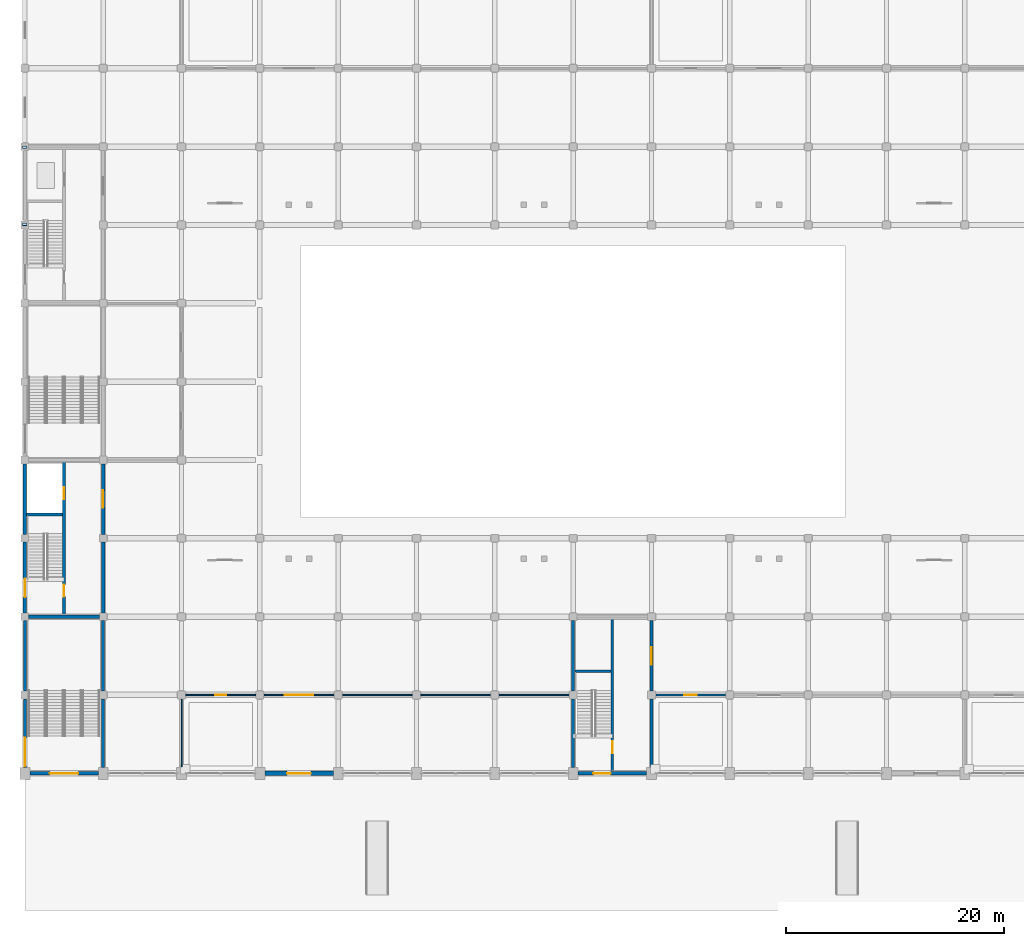
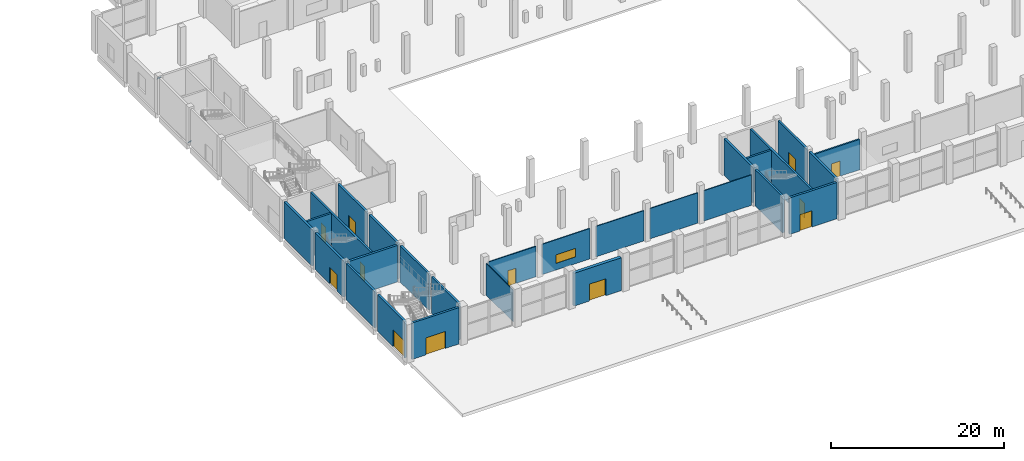
# One storey, part 44 of 70: 27 walls, 12 doors, 2 plates, 1 window, 13 openings.
"""IFC4 building model written with IfcOpenShell, lengths in metres."""

from ifc_helpers import new_model, si_unit, direction, frame, frame_2d, origin, origin_2d, place, context, subcontext, project, spatial, rectangle, extrude, material, layer, layer_set, type_object, element, fill, save


model = new_model("IFC4")

# Units and contexts
model_context = context("Model", 3, precision=1e-05, world=origin(), true_north=direction((0.0, 1.0)))
body_context = subcontext(model_context, "Body", "Model", "MODEL_VIEW")
ifc_project = project(units=[si_unit("LENGTHUNIT", "METRE"), si_unit("AREAUNIT", "SQUARE_METRE"), si_unit("VOLUMEUNIT", "CUBIC_METRE"), si_unit("PLANEANGLEUNIT", "RADIAN"), si_unit("MASSUNIT", "GRAM", prefix="KILO")], contexts=[model_context])

# Site, building, storey
site_placement = place(None, origin())
site = spatial("IfcSite", under=ifc_project, at=site_placement, CompositionType="ELEMENT")
building_placement = place(site_placement, origin())
building = spatial("IfcBuilding", under=site, at=building_placement, Name="Vesperath Aquatics Centre", CompositionType="ELEMENT")
storey_placement = place(building_placement, origin())
storey = spatial("IfcBuildingStorey", under=building, at=storey_placement, Name="L00", CompositionType="ELEMENT", Elevation=0.0)

# Plates
ifc_material_1 = material(Name="Steel Q355D", Category="steel")
ifc_layer_1 = layer(ifc_material_1, 0.02392578125)
ifc_layer_set_1 = layer_set([ifc_layer_1], Name="Steel Q355D")
plate_type = type_object("IfcPlateType", Name="PT-TN04", PredefinedType="SHEET", material=ifc_layer_set_1)
for number, where, z_axis, x_axis, name in (
    (1, (0.0, 64.8466796875, 0.18115234375), (0.0, 0.832050294338, 0.554700196225), (-1.0, 0.0, 0.0), "Truss Node Cap Plate TN04"),
    (2, (0.0, 71.933349609375, 4.90576171875), (0.0, 0.832050294338, 0.554700196225), (-1.0, 0.0, 0.0), "Truss Node Cap Plate TN04"),
):
    element("IfcPlate", number, at=place(storey_placement, frame(where, z_axis=z_axis, x_axis=x_axis)), inside=storey, type_object=plate_type, Name=name, PredefinedType="SHEET", context=body_context, shape_type="SweptSolid", body=[
        extrude(rectangle(XDim=0.419921875, YDim=0.419921875, at=origin_2d()), origin(), (0.0, 0.0, 1.0), 0.02392578125),
    ])

# Wall, opening, door
ifc_material_2 = material(Name="Liaoning grey granite ashlar insulated cavity wall", Category="masonry")
ifc_layer_2 = layer(ifc_material_2, 0.419921875)
ifc_layer_set_2 = layer_set([ifc_layer_2], Name="Liaoning grey granite ashlar insulated cavity wall")
wall_type_1 = type_object("IfcWallType", Name="WL-EW01", PredefinedType="SOLIDWALL", material=ifc_layer_set_2)
wall_1_placement = place(storey_placement, frame((22.050048828125, 14.39990234375, 0.0), z_axis=(0.0, 0.0, 1.0), x_axis=(1.0, 0.0, 0.0)))
wall_1 = element("IfcWall", 3, at=wall_1_placement, inside=storey, type_object=wall_type_1, Name="Exterior Wall EW01 L00_S_03_02", PredefinedType="SOLIDWALL", context=body_context, shape_type="SweptSolid", body=[
    extrude(rectangle(XDim=6.300048828125, YDim=0.419921875, at=frame_2d((3.14990234375, 0.0))), origin(), (0.0, 0.0, 1.0), 4.639892578125),
])
opening_1_placement = place(wall_1_placement, frame((2.050048828125, 0.0, 0.0)))
opening_1 = element("IfcOpeningElement", 4, at=opening_1_placement, cuts=wall_1, Name="Opening EX01", PredefinedType="OPENING", context=body_context, shape_type="SweptSolid", body=[
    extrude(rectangle(XDim=2.199951171875, YDim=2.39990234375, at=frame_2d((1.10009765625, 1.199951171875))), frame((0.0, 0.224853515625, 0.0), z_axis=(0.0, -1.0, 0.0), x_axis=(1.0, 0.0, 0.0)), (0.0, 0.0, 1.0), 0.44970703125),
])
ifc_material_3 = material(Name="Thermally broken bronze-anodised glazed aluminium door", Category="aluminium")
door_type_1 = type_object("IfcDoorType", Name="DR-EX01", OperationType="DOUBLE_SWING_LEFT", PredefinedType="DOOR", material=ifc_material_3)
door_1_placement = place(opening_1_placement, frame((2.199951171875, 0.0, 0.0), z_axis=(0.0, 0.0, 1.0), x_axis=(-1.0, 0.0, 0.0)))
door_1 = element("IfcDoor", 5, at=door_1_placement, inside=storey, type_object=door_type_1, Name="Final Exit Door EX01 L00_S_03_02", OperationType="DOUBLE_SWING_LEFT", OverallHeight=2.39990234375, OverallWidth=2.199951171875, PredefinedType="DOOR", context=body_context, shape_type="SweptSolid", body=[
    extrude(rectangle(XDim=2.199951171875, YDim=2.39990234375, at=frame_2d((1.10009765625, 1.199951171875))), frame((0.0, 0.02490234375, 0.0), z_axis=(0.0, -1.0, 0.0), x_axis=(1.0, 0.0, 0.0)), (0.0, 0.0, 1.0), 0.050048828125),
])
fill(opening_1, door_1)

ifc_material_4 = material(Name="Sanitary plumbing wall", Category="gypsum")
ifc_layer_3 = layer(ifc_material_4, 0.1298828125)
ifc_layer_set_3 = layer_set([ifc_layer_3], Name="Sanitary plumbing wall")
wall_type_2 = type_object("IfcWallType", Name="WL-IW08", PredefinedType="PARTITIONING", material=ifc_layer_set_3)
wall_2_placement = place(storey_placement, frame((14.800048828125, 21.60009765625, 0.0), z_axis=(0.0, 0.0, 1.0), x_axis=(1.0, 0.0, 0.0)))
wall_2 = element("IfcWall", 6, at=wall_2_placement, inside=storey, type_object=wall_type_2, Name="Interior Partition IW08 L00_CALL_RM-N1", PredefinedType="PARTITIONING", context=body_context, shape_type="SweptSolid", body=[
    extrude(rectangle(XDim=6.39990234375, YDim=0.1298828125, at=frame_2d((3.199951171875, 0.0))), origin(), (0.0, 0.0, 1.0), 4.2900390625),
])
opening_2_placement = place(wall_2_placement, frame((2.68994140625, 0.0, 0.0)))
opening_2 = element("IfcOpeningElement", 7, at=opening_2_placement, cuts=wall_2, Name="Opening D19", PredefinedType="OPENING", context=body_context, shape_type="SweptSolid", body=[
    extrude(rectangle(XDim=1.02001953125, YDim=2.14990234375, at=frame_2d((0.510009765625, 1.074951171875))), frame((0.0, 0.079833984375, 0.0), z_axis=(0.0, -1.0, 0.0), x_axis=(1.0, 0.0, 0.0)), (0.0, 0.0, 1.0), 0.15966796875),
])
ifc_material_5 = material(Name="Fire command centre rated steel door", Category="steel")
door_type_2 = type_object("IfcDoorType", Name="DR-RM11", OperationType="NOTDEFINED", PredefinedType="DOOR", material=ifc_material_5)
door_2_placement = place(opening_2_placement, frame((1.02001953125, 0.0, 0.0), z_axis=(0.0, 0.0, 1.0), x_axis=(-1.0, 0.0, 0.0)))
door_2 = element("IfcDoor", 8, at=door_2_placement, inside=storey, type_object=door_type_2, Name="Swimmers Call Room and Marshalling Suite Door D19", OperationType="SINGLE_SWING_LEFT", OverallHeight=2.14990234375, OverallWidth=1.02001953125, PredefinedType="DOOR", context=body_context, shape_type="SweptSolid", body=[
    extrude(rectangle(XDim=1.02001953125, YDim=2.14990234375, at=frame_2d((0.510009765625, 1.074951171875))), frame((0.0, 0.02490234375, 0.0), z_axis=(0.0, -1.0, 0.0), x_axis=(1.0, 0.0, 0.0)), (0.0, 0.0, 1.0), 0.050048828125),
])
fill(opening_2, door_2)

# Wall, opening, window
ifc_material_6 = material(Name="Office dry-lined partition", Category="gypsum")
ifc_layer_4 = layer(ifc_material_6, 0.1220703125)
ifc_layer_set_4 = layer_set([ifc_layer_4], Name="Office dry-lined partition")
wall_type_3 = type_object("IfcWallType", Name="WL-IW09", PredefinedType="PARTITIONING", material=ifc_layer_set_4)
wall_3_placement = place(storey_placement, frame((22.0, 21.60009765625, 0.0), z_axis=(0.0, 0.0, 1.0), x_axis=(1.0, 0.0, 0.0)))
wall_3 = element("IfcWall", 9, at=wall_3_placement, inside=storey, type_object=wall_type_3, Name="Interior Partition IW09 L00_CALL_RM-N2", PredefinedType="PARTITIONING", context=body_context, shape_type="SweptSolid", body=[
    extrude(rectangle(XDim=6.39990234375, YDim=0.1220703125, at=frame_2d((3.199951171875, 0.0))), origin(), (0.0, 0.0, 1.0), 4.2900390625),
])
opening_3_placement = place(wall_3_placement, frame((1.89990234375, 0.0, 0.949951171875)))
opening_3 = element("IfcOpeningElement", 10, at=opening_3_placement, cuts=wall_3, Name="Opening VW10", PredefinedType="OPENING", context=body_context, shape_type="SweptSolid", body=[
    extrude(rectangle(XDim=2.60009765625, YDim=1.199951171875, at=frame_2d((1.300048828125, 0.60009765625))), frame((0.0, 0.075927734375, 0.0), z_axis=(0.0, -1.0, 0.0), x_axis=(1.0, 0.0, 0.0)), (0.0, 0.0, 1.0), 0.15185546875),
])
ifc_material_7 = material(Name="Acoustic laminated interior viewing glazing", Category="glass")
window_type = type_object("IfcWindowType", Name="WN-IW10", PartitioningType="SINGLE_PANEL", PredefinedType="WINDOW", material=ifc_material_7)
window_placement = place(opening_3_placement, origin())
window = element("IfcWindow", 11, at=window_placement, inside=storey, type_object=window_type, Name="Interior Viewing Window VW10 L00_CALL_RM", OverallHeight=1.199951171875, OverallWidth=2.60009765625, PartitioningType="SINGLE_PANEL", PredefinedType="WINDOW", context=body_context, shape_type="SweptSolid", body=[
    extrude(rectangle(XDim=2.60009765625, YDim=1.199951171875, at=frame_2d((1.300048828125, 0.60009765625))), frame((0.0, 0.030029296875, 0.0), z_axis=(0.0, -1.0, 0.0), x_axis=(1.0, 0.0, 0.0)), (0.0, 0.0, 1.0), 0.06005859375),
])
fill(opening_3, window)

# Walls
ifc_material_8 = material(Name="Store dry-lined partition", Category="gypsum")
ifc_layer_5 = layer(ifc_material_8, 0.114990234375)
ifc_layer_set_5 = layer_set([ifc_layer_5], Name="Store dry-lined partition")
wall_type_4 = type_object("IfcWallType", Name="WL-IW10", PredefinedType="PARTITIONING", material=ifc_layer_set_5)
wall_4_placement = place(storey_placement, frame((29.199951171875, 21.60009765625, 0.0), z_axis=(0.0, 0.0, 1.0), x_axis=(1.0, 0.0, 0.0)))
element("IfcWall", 12, at=wall_4_placement, inside=storey, type_object=wall_type_4, Name="Interior Partition IW10 L00_CALL_RM-N3", PredefinedType="PARTITIONING", context=body_context, shape_type="SweptSolid", body=[
    extrude(rectangle(XDim=6.400146484375, YDim=0.114990234375, at=frame_2d((3.2001953125, 0.0))), origin(), (0.0, 0.0, 1.0), 4.2900390625),
])
ifc_material_9 = material(Name="Kiosk counter partition", Category="gypsum")
ifc_layer_6 = layer(ifc_material_9, 0.10791015625)
ifc_layer_set_6 = layer_set([ifc_layer_6], Name="Kiosk counter partition")
wall_type_5 = type_object("IfcWallType", Name="WL-IW11", PredefinedType="PARTITIONING", material=ifc_layer_set_6)
wall_5_placement = place(storey_placement, frame((36.39990234375, 21.60009765625, 0.0), z_axis=(0.0, 0.0, 1.0), x_axis=(1.0, 0.0, 0.0)))
element("IfcWall", 13, at=wall_5_placement, inside=storey, type_object=wall_type_5, Name="Interior Partition IW11 L00_CALL_RM-N4", PredefinedType="PARTITIONING", context=body_context, shape_type="SweptSolid", body=[
    extrude(rectangle(XDim=6.400146484375, YDim=0.10791015625, at=frame_2d((3.2001953125, 0.0))), origin(), (0.0, 0.0, 1.0), 4.2900390625),
])
ifc_material_10 = material(Name="Light room sub-partition", Category="gypsum")
ifc_layer_7 = layer(ifc_material_10, 0.10009765625)
ifc_layer_set_7 = layer_set([ifc_layer_7], Name="Light room sub-partition")
wall_type_6 = type_object("IfcWallType", Name="WL-IW12", PredefinedType="PARTITIONING", material=ifc_layer_set_7)
wall_6_placement = place(storey_placement, frame((43.60009765625, 21.60009765625, 0.0), z_axis=(0.0, 0.0, 1.0), x_axis=(1.0, 0.0, 0.0)))
element("IfcWall", 14, at=wall_6_placement, inside=storey, type_object=wall_type_6, Name="Interior Partition IW12 L00_CALL_RM-N5", PredefinedType="PARTITIONING", context=body_context, shape_type="SweptSolid", body=[
    extrude(rectangle(XDim=6.39990234375, YDim=0.10009765625, at=frame_2d((3.199951171875, 0.0))), origin(), (0.0, 0.0, 1.0), 4.2900390625),
])
ifc_material_11 = material(Name="Poolside glazed screen partition", Category="gypsum")
ifc_layer_8 = layer(ifc_material_11, 0.094970703125)
ifc_layer_set_8 = layer_set([ifc_layer_8], Name="Poolside glazed screen partition")
wall_type_7 = type_object("IfcWallType", Name="WL-IW13", PredefinedType="PARTITIONING", material=ifc_layer_set_8)
wall_7_placement = place(storey_placement, frame((14.39990234375, 15.0, 0.0), z_axis=(0.0, 0.0, 1.0), x_axis=(0.0, 1.0, 0.0)))
element("IfcWall", 15, at=wall_7_placement, inside=storey, type_object=wall_type_7, Name="Interior Partition IW13 L00_CALL_RM-W1", PredefinedType="PARTITIONING", context=body_context, shape_type="SweptSolid", body=[
    extrude(rectangle(XDim=6.199951171875, YDim=0.094970703125, at=frame_2d((3.10009765625, 0.0))), origin(), (0.0, 0.0, 1.0), 4.489990234375),
])

# Wall, opening, door
ifc_material_12 = material(Name="Shaft enclosure fire partition", Category="gypsum")
ifc_layer_9 = layer(ifc_material_12, 0.195068359375)
ifc_layer_set_9 = layer_set([ifc_layer_9], Name="Shaft enclosure fire partition")
wall_type_8 = type_object("IfcWallType", Name="WL-IW14", PredefinedType="PARTITIONING", material=ifc_layer_set_9)
wall_8_placement = place(storey_placement, frame((58.0, 21.60009765625, 0.0), z_axis=(0.0, 0.0, 1.0), x_axis=(1.0, 0.0, 0.0)))
wall_8 = element("IfcWall", 16, at=wall_8_placement, inside=storey, type_object=wall_type_8, Name="Interior Partition IW14 L00_OFFICIALS-N1", PredefinedType="PARTITIONING", context=body_context, shape_type="SweptSolid", body=[
    extrude(rectangle(XDim=6.39990234375, YDim=0.195068359375, at=frame_2d((3.199951171875, 0.0))), origin(), (0.0, 0.0, 1.0), 4.2900390625),
])
opening_4_placement = place(wall_8_placement, frame((2.6298828125, 0.0, 0.0)))
opening_4 = element("IfcOpeningElement", 17, at=opening_4_placement, cuts=wall_8, Name="Opening D20", PredefinedType="OPENING", context=body_context, shape_type="SweptSolid", body=[
    extrude(rectangle(XDim=1.139892578125, YDim=2.14990234375, at=frame_2d((0.56982421875, 1.074951171875))), frame((0.0, 0.1123046875, 0.0), z_axis=(0.0, -1.0, 0.0), x_axis=(1.0, 0.0, 0.0)), (0.0, 0.0, 1.0), 0.224853515625),
])
ifc_material_13 = material(Name="Kitchen service fire door", Category="steel")
door_type_3 = type_object("IfcDoorType", Name="DR-RM12", OperationType="NOTDEFINED", PredefinedType="DOOR", material=ifc_material_13)
door_3_placement = place(opening_4_placement, frame((1.139892578125, 0.0, 0.0), z_axis=(0.0, 0.0, 1.0), x_axis=(-1.0, 0.0, 0.0)))
door_3 = element("IfcDoor", 18, at=door_3_placement, inside=storey, type_object=door_type_3, Name="Referees Timing and Scoring Control Suite Door D20", OperationType="SINGLE_SWING_RIGHT", OverallHeight=2.14990234375, OverallWidth=1.139892578125, PredefinedType="DOOR", context=body_context, shape_type="SweptSolid", body=[
    extrude(rectangle(XDim=1.139892578125, YDim=2.14990234375, at=frame_2d((0.56982421875, 1.074951171875))), frame((0.0, 0.02490234375, 0.0), z_axis=(0.0, -1.0, 0.0), x_axis=(1.0, 0.0, 0.0)), (0.0, 0.0, 1.0), 0.050048828125),
])
fill(opening_4, door_3)

# Walls
ifc_material_14 = material(Name="Concrete C40", Category="concrete")
ifc_layer_10 = layer(ifc_material_14, 0.300048828125)
ifc_layer_set_10 = layer_set([ifc_layer_10], Name="Concrete C40")
wall_type_9 = type_object("IfcWallType", Name="WL-SW01", PredefinedType="SHEAR", material=ifc_layer_set_10)
for number, where, z_axis, x_axis, name in (
    (19, (0.35009765625, 28.800048828125, 0.0), (0.0, 0.0, 1.0), (1.0, 0.0, 0.0), "Core C1 South Shear Wall SW01 L00"),
    (20, (7.199951171875, 29.14990234375, 0.0), (0.0, 0.0, 1.0), (0.0, 1.0, 0.0), "Core C1 East-1 Shear Wall SW01 L00"),
):
    element("IfcWall", number, at=place(storey_placement, frame(where, z_axis=z_axis, x_axis=x_axis)), inside=storey, type_object=wall_type_9, Name=name, PredefinedType="SHEAR", context=body_context, shape_type="SweptSolid", body=[
        extrude(rectangle(XDim=6.5, YDim=0.300048828125, at=frame_2d((3.25, 0.0))), origin(), (0.0, 0.0, 1.0), 5.139892578125),
    ])

# Wall, opening, door
wall_9_placement = place(storey_placement, frame((7.199951171875, 36.35009765625, 0.0), z_axis=(0.0, 0.0, 1.0), x_axis=(0.0, 1.0, 0.0)))
wall_9 = element("IfcWall", 21, at=wall_9_placement, inside=storey, type_object=wall_type_9, Name="Core C1 East-2 Shear Wall SW01 L00", PredefinedType="SHEAR", context=body_context, shape_type="SweptSolid", body=[
    extrude(rectangle(XDim=6.5, YDim=0.300048828125, at=frame_2d((3.25, 0.0))), origin(), (0.0, 0.0, 1.0), 5.139892578125),
])
opening_5_placement = place(wall_9_placement, frame((2.449951171875, 0.0, 0.0)))
opening_5 = element("IfcOpeningElement", 22, at=opening_5_placement, cuts=wall_9, Name="Opening D02", PredefinedType="OPENING", context=body_context, shape_type="SweptSolid", body=[
    extrude(rectangle(XDim=1.60009765625, YDim=2.199951171875, at=frame_2d((0.800048828125, 1.10009765625))), frame((0.0, 0.1650390625, 0.0), z_axis=(0.0, -1.0, 0.0), x_axis=(1.0, 0.0, 0.0)), (0.0, 0.0, 1.0), 0.329833984375),
])
ifc_material_15 = material(Name="Glazed fire-rated lobby double door", Category="steel")
door_type_4 = type_object("IfcDoorType", Name="DR-FD02", OperationType="DOUBLE_SWING_LEFT", PredefinedType="DOOR", material=ifc_material_15)
door_4_placement = place(opening_5_placement, frame((1.60009765625, 0.0, 0.0), z_axis=(0.0, 0.0, 1.0), x_axis=(-1.0, 0.0, 0.0)))
door_4 = element("IfcDoor", 23, at=door_4_placement, inside=storey, type_object=door_type_4, Name="Core C1 Lobby Fire Door D02 L00", OperationType="DOUBLE_SWING_LEFT", OverallHeight=2.199951171875, OverallWidth=1.60009765625, PredefinedType="DOOR", context=body_context, shape_type="SweptSolid", body=[
    extrude(rectangle(XDim=1.60009765625, YDim=2.199951171875, at=frame_2d((0.800048828125, 1.10009765625))), frame((0.0, 0.02490234375, 0.0), z_axis=(0.0, -1.0, 0.0), x_axis=(1.0, 0.0, 0.0)), (0.0, 0.0, 1.0), 0.050048828125),
])
fill(opening_5, door_4)

# Walls
ifc_layer_11 = layer(ifc_material_14, 0.280029296875)
ifc_layer_set_11 = layer_set([ifc_layer_11], Name="Concrete C40")
wall_type_10 = type_object("IfcWallType", Name="WL-SW02", PredefinedType="SHEAR", material=ifc_layer_set_11)
wall_10_placement = place(storey_placement, frame((50.39990234375, 14.949951171875, 0.0), z_axis=(0.0, 0.0, 1.0), x_axis=(0.0, 1.0, 0.0)))
element("IfcWall", 24, at=wall_10_placement, inside=storey, type_object=wall_type_10, Name="Core C9 West-1 Shear Wall SW02 L00", PredefinedType="SHEAR", context=body_context, shape_type="SweptSolid", body=[
    extrude(rectangle(XDim=6.300048828125, YDim=0.280029296875, at=frame_2d((3.14990234375, 0.0))), origin(), (0.0, 0.0, 1.0), 5.139892578125),
])
wall_11_placement = place(storey_placement, frame((50.39990234375, 21.949951171875, 0.0), z_axis=(0.0, 0.0, 1.0), x_axis=(0.0, 1.0, 0.0)))
element("IfcWall", 25, at=wall_11_placement, inside=storey, type_object=wall_type_10, Name="Core C9 West-2 Shear Wall SW02 L00", PredefinedType="SHEAR", context=body_context, shape_type="SweptSolid", body=[
    extrude(rectangle(XDim=6.5, YDim=0.280029296875, at=frame_2d((3.25, 0.0))), origin(), (0.0, 0.0, 1.0), 5.139892578125),
])
wall_12_placement = place(storey_placement, frame((57.60009765625, 14.949951171875, 0.0), z_axis=(0.0, 0.0, 1.0), x_axis=(0.0, 1.0, 0.0)))
element("IfcWall", 26, at=wall_12_placement, inside=storey, type_object=wall_type_10, Name="Core C9 East-1 Shear Wall SW02 L00", PredefinedType="SHEAR", context=body_context, shape_type="SweptSolid", body=[
    extrude(rectangle(XDim=6.300048828125, YDim=0.280029296875, at=frame_2d((3.14990234375, 0.0))), origin(), (0.0, 0.0, 1.0), 5.139892578125),
])

# Wall, opening, door
wall_13_placement = place(storey_placement, frame((57.60009765625, 21.949951171875, 0.0), z_axis=(0.0, 0.0, 1.0), x_axis=(0.0, 1.0, 0.0)))
wall_13 = element("IfcWall", 27, at=wall_13_placement, inside=storey, type_object=wall_type_10, Name="Core C9 East-2 Shear Wall SW02 L00", PredefinedType="SHEAR", context=body_context, shape_type="SweptSolid", body=[
    extrude(rectangle(XDim=6.5, YDim=0.280029296875, at=frame_2d((3.25, 0.0))), origin(), (0.0, 0.0, 1.0), 5.139892578125),
])
opening_6_placement = place(wall_13_placement, frame((2.449951171875, 0.0, 0.0)))
opening_6 = element("IfcOpeningElement", 28, at=opening_6_placement, cuts=wall_13, Name="Opening D02", PredefinedType="OPENING", context=body_context, shape_type="SweptSolid", body=[
    extrude(rectangle(XDim=1.60009765625, YDim=2.199951171875, at=frame_2d((0.800048828125, 1.10009765625))), frame((0.0, 0.15478515625, 0.0), z_axis=(0.0, -1.0, 0.0), x_axis=(1.0, 0.0, 0.0)), (0.0, 0.0, 1.0), 0.309814453125),
])
door_5_placement = place(opening_6_placement, frame((1.60009765625, 0.0, 0.0), z_axis=(0.0, 0.0, 1.0), x_axis=(-1.0, 0.0, 0.0)))
door_5 = element("IfcDoor", 29, at=door_5_placement, inside=storey, type_object=door_type_4, Name="Core C9 Lobby Fire Door D02 L00", OperationType="DOUBLE_SWING_LEFT", OverallHeight=2.199951171875, OverallWidth=1.60009765625, PredefinedType="DOOR", context=body_context, shape_type="SweptSolid", body=[
    extrude(rectangle(XDim=1.60009765625, YDim=2.199951171875, at=frame_2d((0.800048828125, 1.10009765625))), frame((0.0, 0.02490234375, 0.0), z_axis=(0.0, -1.0, 0.0), x_axis=(1.0, 0.0, 0.0)), (0.0, 0.0, 1.0), 0.050048828125),
])
fill(opening_6, door_5)

# Walls
wall_14_placement = place(storey_placement, frame((7.199951171875, 14.949951171875, 0.0), z_axis=(0.0, 0.0, 1.0), x_axis=(0.0, 1.0, 0.0)))
element("IfcWall", 30, at=wall_14_placement, inside=storey, type_object=wall_type_10, Name="Core C10 East-1 Shear Wall SW02 L00", PredefinedType="SHEAR", context=body_context, shape_type="SweptSolid", body=[
    extrude(rectangle(XDim=6.300048828125, YDim=0.280029296875, at=frame_2d((3.14990234375, 0.0))), origin(), (0.0, 0.0, 1.0), 5.139892578125),
])
wall_15_placement = place(storey_placement, frame((7.199951171875, 21.949951171875, 0.0), z_axis=(0.0, 0.0, 1.0), x_axis=(0.0, 1.0, 0.0)))
element("IfcWall", 31, at=wall_15_placement, inside=storey, type_object=wall_type_10, Name="Core C10 East-2 Shear Wall SW02 L00", PredefinedType="SHEAR", context=body_context, shape_type="SweptSolid", body=[
    extrude(rectangle(XDim=6.5, YDim=0.280029296875, at=frame_2d((3.25, 0.0))), origin(), (0.0, 0.0, 1.0), 5.139892578125),
])

# Wall, openings, doors
ifc_layer_12 = layer(ifc_material_14, 0.260009765625)
ifc_layer_set_12 = layer_set([ifc_layer_12], Name="Concrete C40")
wall_type_11 = type_object("IfcWallType", Name="WL-SW03", PredefinedType="SHEAR", material=ifc_layer_set_12)
wall_16_placement = place(storey_placement, frame((3.60009765625, 29.0, 0.0), z_axis=(0.0, 0.0, 1.0), x_axis=(0.0, 1.0, 0.0)))
wall_16 = element("IfcWall", 32, at=wall_16_placement, inside=storey, type_object=wall_type_11, Name="Core C1 Spine Shear Wall SW03 L00", PredefinedType="SHEAR", context=body_context, shape_type="SweptSolid", body=[
    extrude(rectangle(XDim=14.0, YDim=0.260009765625, at=frame_2d((7.0, 0.0))), origin(), (0.0, 0.0, 1.0), 5.139892578125),
])
opening_7_placement = place(wall_16_placement, frame((1.64990234375, 0.0, 0.0)))
opening_7 = element("IfcOpeningElement", 33, at=opening_7_placement, cuts=wall_16, Name="Opening D01", PredefinedType="OPENING", context=body_context, shape_type="SweptSolid", body=[
    extrude(rectangle(XDim=1.10009765625, YDim=2.14990234375, at=frame_2d((0.550048828125, 1.074951171875))), frame((0.0, 0.14501953125, 0.0), z_axis=(0.0, -1.0, 0.0), x_axis=(1.0, 0.0, 0.0)), (0.0, 0.0, 1.0), 0.289794921875),
])
opening_8_placement = place(wall_16_placement, frame((10.60009765625, 0.0, 0.0)))
opening_8 = element("IfcOpeningElement", 34, at=opening_8_placement, cuts=wall_16, Name="Opening LD01", PredefinedType="OPENING", context=body_context, shape_type="SweptSolid", body=[
    extrude(rectangle(XDim=1.10009765625, YDim=2.199951171875, at=frame_2d((0.550048828125, 1.10009765625))), frame((0.0, 0.14501953125, 0.0), z_axis=(0.0, -1.0, 0.0), x_axis=(1.0, 0.0, 0.0)), (0.0, 0.0, 1.0), 0.289794921875),
])
ifc_material_16 = material(Name="Steel-faced acoustic fire door", Category="steel")
door_type_5 = type_object("IfcDoorType", Name="DR-FD01", OperationType="NOTDEFINED", PredefinedType="DOOR", material=ifc_material_16)
door_6_placement = place(opening_7_placement, origin())
door_6 = element("IfcDoor", 35, at=door_6_placement, inside=storey, type_object=door_type_5, Name="Stair ST1 Fire Door D01 L00", OperationType="SINGLE_SWING_RIGHT", OverallHeight=2.14990234375, OverallWidth=1.10009765625, PredefinedType="DOOR", context=body_context, shape_type="SweptSolid", body=[
    extrude(rectangle(XDim=1.10009765625, YDim=2.14990234375, at=frame_2d((0.550048828125, 1.074951171875))), frame((0.0, 0.02490234375, 0.0), z_axis=(0.0, -1.0, 0.0), x_axis=(1.0, 0.0, 0.0)), (0.0, 0.0, 1.0), 0.050048828125),
])
fill(opening_7, door_6)
ifc_material_17 = material(Name="Brushed stainless steel lift landing door", Category="steel")
door_type_6 = type_object("IfcDoorType", Name="DR-LD01", OperationType="SLIDING_TO_LEFT", PredefinedType="DOOR", material=ifc_material_17)
door_7_placement = place(opening_8_placement, frame((1.10009765625, 0.0, 0.0), z_axis=(0.0, 0.0, 1.0), x_axis=(-1.0, 0.0, 0.0)))
door_7 = element("IfcDoor", 36, at=door_7_placement, inside=storey, type_object=door_type_6, Name="Lift LFT-P1 Sliding Landing Door LD01 L00", OperationType="SLIDING_TO_LEFT", OverallHeight=2.199951171875, OverallWidth=1.10009765625, PredefinedType="DOOR", context=body_context, shape_type="SweptSolid", body=[
    extrude(rectangle(XDim=1.10009765625, YDim=2.199951171875, at=frame_2d((0.550048828125, 1.10009765625))), frame((0.0, 0.02490234375, 0.0), z_axis=(0.0, -1.0, 0.0), x_axis=(1.0, 0.0, 0.0)), (0.0, 0.0, 1.0), 0.050048828125),
])
fill(opening_8, door_7)

# Wall, opening, door
wall_17_placement = place(storey_placement, frame((54.0, 14.60009765625, 0.0), z_axis=(0.0, 0.0, 1.0), x_axis=(0.0, 1.0, 0.0)))
wall_17 = element("IfcWall", 37, at=wall_17_placement, inside=storey, type_object=wall_type_11, Name="Core C9 Spine Shear Wall SW03 L00", PredefinedType="SHEAR", context=body_context, shape_type="SweptSolid", body=[
    extrude(rectangle(XDim=14.0, YDim=0.260009765625, at=frame_2d((7.0, 0.0))), origin(), (0.0, 0.0, 1.0), 5.139892578125),
])
opening_9_placement = place(wall_17_placement, frame((1.64990234375, 0.0, 0.0)))
opening_9 = element("IfcOpeningElement", 38, at=opening_9_placement, cuts=wall_17, Name="Opening D01", PredefinedType="OPENING", context=body_context, shape_type="SweptSolid", body=[
    extrude(rectangle(XDim=1.10009765625, YDim=2.14990234375, at=frame_2d((0.550048828125, 1.074951171875))), frame((0.0, 0.14501953125, 0.0), z_axis=(0.0, -1.0, 0.0), x_axis=(1.0, 0.0, 0.0)), (0.0, 0.0, 1.0), 0.289794921875),
])
door_8_placement = place(opening_9_placement, origin())
door_8 = element("IfcDoor", 39, at=door_8_placement, inside=storey, type_object=door_type_5, Name="Stair ST9 Fire Door D01 L00", OperationType="SINGLE_SWING_RIGHT", OverallHeight=2.14990234375, OverallWidth=1.10009765625, PredefinedType="DOOR", context=body_context, shape_type="SweptSolid", body=[
    extrude(rectangle(XDim=1.10009765625, YDim=2.14990234375, at=frame_2d((0.550048828125, 1.074951171875))), frame((0.0, 0.02490234375, 0.0), z_axis=(0.0, -1.0, 0.0), x_axis=(1.0, 0.0, 0.0)), (0.0, 0.0, 1.0), 0.050048828125),
])
fill(opening_9, door_8)

# Walls
ifc_layer_13 = layer(ifc_material_14, 0.25)
ifc_layer_set_13 = layer_set([ifc_layer_13], Name="Concrete C40")
wall_type_12 = type_object("IfcWallType", Name="WL-SW04", PredefinedType="SHEAR", material=ifc_layer_set_13)
for number, where, z_axis, x_axis, name in (
    (40, (0.159912109375, 38.179931640625, 0.0), (0.0, 0.0, 1.0), (1.0, 0.0, 0.0), "Core C1 Lift Shaft Wall SW04 L00"),
    (41, (50.56005859375, 23.780029296875, 0.0), (0.0, 0.0, 1.0), (1.0, 0.0, 0.0), "Core C9 Lift Shaft Wall SW04 L00"),
):
    element("IfcWall", number, at=place(storey_placement, frame(where, z_axis=z_axis, x_axis=x_axis)), inside=storey, type_object=wall_type_12, Name=name, PredefinedType="SHEAR", context=body_context, shape_type="SweptSolid", body=[
        extrude(rectangle(XDim=3.300048828125, YDim=0.25, at=frame_2d((1.64990234375, 0.0))), origin(), (0.0, 0.0, 1.0), 5.139892578125),
    ])

# Wall, opening, door
ifc_layer_14 = layer(ifc_material_14, 0.31005859375)
ifc_layer_set_14 = layer_set([ifc_layer_14], Name="Concrete C40")
wall_type_13 = type_object("IfcWallType", Name="WL-SW05", PredefinedType="SHEAR", material=ifc_layer_set_14)
wall_18_placement = place(storey_placement, frame((0.0, 29.14990234375, 0.0), z_axis=(0.0, 0.0, 1.0), x_axis=(0.0, 1.0, 0.0)))
wall_18 = element("IfcWall", 42, at=wall_18_placement, inside=storey, type_object=wall_type_13, Name="Core C1 West-1 Shear Wall SW05 L00", PredefinedType="SHEAR", context=body_context, shape_type="SweptSolid", body=[
    extrude(rectangle(XDim=6.5, YDim=0.31005859375, at=frame_2d((3.25, 0.0))), origin(), (0.0, 0.0, 1.0), 5.139892578125),
])
opening_10_placement = place(wall_18_placement, frame((1.449951171875, 0.0, 0.0)))
opening_10 = element("IfcOpeningElement", 43, at=opening_10_placement, cuts=wall_18, Name="Opening EX04", PredefinedType="OPENING", context=body_context, shape_type="SweptSolid", body=[
    extrude(rectangle(XDim=1.699951171875, YDim=2.300048828125, at=frame_2d((0.85009765625, 1.14990234375))), frame((0.0, 0.169921875, 0.0), z_axis=(0.0, -1.0, 0.0), x_axis=(1.0, 0.0, 0.0)), (0.0, 0.0, 1.0), 0.33984375),
])
door_type_7 = type_object("IfcDoorType", Name="DR-EX04", OperationType="DOUBLE_SWING_LEFT", PredefinedType="DOOR", material=ifc_material_3)
door_9_placement = place(opening_10_placement, origin())
door_9 = element("IfcDoor", 44, at=door_9_placement, inside=storey, type_object=door_type_7, Name="Stair ST1 Direct Grade Exit Door EX04", OperationType="DOUBLE_SWING_LEFT", OverallHeight=2.300048828125, OverallWidth=1.699951171875, PredefinedType="DOOR", context=body_context, shape_type="SweptSolid", body=[
    extrude(rectangle(XDim=1.699951171875, YDim=2.300048828125, at=frame_2d((0.85009765625, 1.14990234375))), frame((0.0, 0.02490234375, 0.0), z_axis=(0.0, -1.0, 0.0), x_axis=(1.0, 0.0, 0.0)), (0.0, 0.0, 1.0), 0.050048828125),
])
fill(opening_10, door_9)

# Wall
wall_19_placement = place(storey_placement, frame((0.0, 36.35009765625, 0.0), z_axis=(0.0, 0.0, 1.0), x_axis=(0.0, 1.0, 0.0)))
element("IfcWall", 45, at=wall_19_placement, inside=storey, type_object=wall_type_13, Name="Core C1 West-2 Shear Wall SW05 L00", PredefinedType="SHEAR", context=body_context, shape_type="SweptSolid", body=[
    extrude(rectangle(XDim=6.5, YDim=0.31005859375, at=frame_2d((3.25, 0.0))), origin(), (0.0, 0.0, 1.0), 5.139892578125),
])

# Wall, opening, door
ifc_layer_15 = layer(ifc_material_14, 0.2900390625)
ifc_layer_set_15 = layer_set([ifc_layer_15], Name="Concrete C40")
wall_type_14 = type_object("IfcWallType", Name="WL-SW06", PredefinedType="SHEAR", material=ifc_layer_set_15)
wall_20_placement = place(storey_placement, frame((50.85009765625, 14.39990234375, 0.0), z_axis=(0.0, 0.0, 1.0), x_axis=(1.0, 0.0, 0.0)))
wall_20 = element("IfcWall", 46, at=wall_20_placement, inside=storey, type_object=wall_type_14, Name="Core C9 South Shear Wall SW06 L00", PredefinedType="SHEAR", context=body_context, shape_type="SweptSolid", body=[
    extrude(rectangle(XDim=6.2998046875, YDim=0.2900390625, at=frame_2d((3.14990234375, 0.0))), origin(), (0.0, 0.0, 1.0), 5.139892578125),
])
opening_11_placement = place(wall_20_placement, frame((1.39990234375, 0.0, 0.0)))
opening_11 = element("IfcOpeningElement", 47, at=opening_11_placement, cuts=wall_20, Name="Opening EX06", PredefinedType="OPENING", context=body_context, shape_type="SweptSolid", body=[
    extrude(rectangle(XDim=1.60009765625, YDim=2.300048828125, at=frame_2d((0.800048828125, 1.14990234375))), frame((0.0, 0.159912109375, 0.0), z_axis=(0.0, -1.0, 0.0), x_axis=(1.0, 0.0, 0.0)), (0.0, 0.0, 1.0), 0.31982421875),
])
door_type_8 = type_object("IfcDoorType", Name="DR-EX06", OperationType="DOUBLE_SWING_LEFT", PredefinedType="DOOR", material=ifc_material_3)
door_10_placement = place(opening_11_placement, frame((1.60009765625, 0.0, 0.0), z_axis=(0.0, 0.0, 1.0), x_axis=(-1.0, 0.0, 0.0)))
door_10 = element("IfcDoor", 48, at=door_10_placement, inside=storey, type_object=door_type_8, Name="Stair ST9 Direct Grade Exit Door EX06", OperationType="DOUBLE_SWING_LEFT", OverallHeight=2.300048828125, OverallWidth=1.60009765625, PredefinedType="DOOR", context=body_context, shape_type="SweptSolid", body=[
    extrude(rectangle(XDim=1.60009765625, YDim=2.300048828125, at=frame_2d((0.800048828125, 1.14990234375))), frame((0.0, 0.02490234375, 0.0), z_axis=(0.0, -1.0, 0.0), x_axis=(1.0, 0.0, 0.0)), (0.0, 0.0, 1.0), 0.050048828125),
])
fill(opening_11, door_10)

wall_21_placement = place(storey_placement, frame((0.449951171875, 14.39990234375, 0.0), z_axis=(0.0, 0.0, 1.0), x_axis=(1.0, 0.0, 0.0)))
wall_21 = element("IfcWall", 49, at=wall_21_placement, inside=storey, type_object=wall_type_14, Name="Core C10 South Shear Wall SW06 L00", PredefinedType="SHEAR", context=body_context, shape_type="SweptSolid", body=[
    extrude(rectangle(XDim=6.300048828125, YDim=0.2900390625, at=frame_2d((3.14990234375, 0.0))), origin(), (0.0, 0.0, 1.0), 5.139892578125),
])
opening_12_placement = place(wall_21_placement, frame((1.85009765625, 0.0, 0.0)))
opening_12 = element("IfcOpeningElement", 50, at=opening_12_placement, cuts=wall_21, Name="Opening EX07", PredefinedType="OPENING", context=body_context, shape_type="SweptSolid", body=[
    extrude(rectangle(XDim=2.60009765625, YDim=2.39990234375, at=frame_2d((1.300048828125, 1.199951171875))), frame((0.0, 0.159912109375, 0.0), z_axis=(0.0, -1.0, 0.0), x_axis=(1.0, 0.0, 0.0)), (0.0, 0.0, 1.0), 0.31982421875),
])
door_type_9 = type_object("IfcDoorType", Name="DR-EX07", OperationType="DOUBLE_SWING_LEFT", PredefinedType="DOOR", material=ifc_material_3)
door_11_placement = place(opening_12_placement, frame((2.60009765625, 0.0, 0.0), z_axis=(0.0, 0.0, 1.0), x_axis=(-1.0, 0.0, 0.0)))
door_11 = element("IfcDoor", 51, at=door_11_placement, inside=storey, type_object=door_type_9, Name="Stair ST10 Direct Grade Exit Door EX07", OperationType="DOUBLE_SWING_LEFT", OverallHeight=2.39990234375, OverallWidth=2.60009765625, PredefinedType="DOOR", context=body_context, shape_type="SweptSolid", body=[
    extrude(rectangle(XDim=2.60009765625, YDim=2.39990234375, at=frame_2d((1.300048828125, 1.199951171875))), frame((0.0, 0.02490234375, 0.0), z_axis=(0.0, -1.0, 0.0), x_axis=(1.0, 0.0, 0.0)), (0.0, 0.0, 1.0), 0.050048828125),
])
fill(opening_12, door_11)

wall_22_placement = place(storey_placement, frame((0.0, 14.949951171875, 0.0), z_axis=(0.0, 0.0, 1.0), x_axis=(0.0, 1.0, 0.0)))
wall_22 = element("IfcWall", 52, at=wall_22_placement, inside=storey, type_object=wall_type_14, Name="Core C10 West-1 Shear Wall SW06 L00", PredefinedType="SHEAR", context=body_context, shape_type="SweptSolid", body=[
    extrude(rectangle(XDim=6.300048828125, YDim=0.2900390625, at=frame_2d((3.14990234375, 0.0))), origin(), (0.0, 0.0, 1.0), 5.139892578125),
])
opening_13_placement = place(wall_22_placement, frame((0.10009765625, 0.0, 0.0)))
opening_13 = element("IfcOpeningElement", 53, at=opening_13_placement, cuts=wall_22, Name="Opening EX07", PredefinedType="OPENING", context=body_context, shape_type="SweptSolid", body=[
    extrude(rectangle(XDim=2.60009765625, YDim=2.39990234375, at=frame_2d((1.300048828125, 1.199951171875))), frame((0.0, 0.159912109375, 0.0), z_axis=(0.0, -1.0, 0.0), x_axis=(1.0, 0.0, 0.0)), (0.0, 0.0, 1.0), 0.31982421875),
])
door_12_placement = place(opening_13_placement, origin())
door_12 = element("IfcDoor", 54, at=door_12_placement, inside=storey, type_object=door_type_9, Name="Stair ST10 Direct Grade Exit Door EX07", OperationType="DOUBLE_SWING_LEFT", OverallHeight=2.39990234375, OverallWidth=2.60009765625, PredefinedType="DOOR", context=body_context, shape_type="SweptSolid", body=[
    extrude(rectangle(XDim=2.60009765625, YDim=2.39990234375, at=frame_2d((1.300048828125, 1.199951171875))), frame((0.0, 0.02490234375, 0.0), z_axis=(0.0, -1.0, 0.0), x_axis=(1.0, 0.0, 0.0)), (0.0, 0.0, 1.0), 0.050048828125),
])
fill(opening_13, door_12)

# Wall
wall_23_placement = place(storey_placement, frame((0.0, 21.949951171875, 0.0), z_axis=(0.0, 0.0, 1.0), x_axis=(0.0, 1.0, 0.0)))
element("IfcWall", 55, at=wall_23_placement, inside=storey, type_object=wall_type_14, Name="Core C10 West-2 Shear Wall SW06 L00", PredefinedType="SHEAR", context=body_context, shape_type="SweptSolid", body=[
    extrude(rectangle(XDim=6.5, YDim=0.2900390625, at=frame_2d((3.25, 0.0))), origin(), (0.0, 0.0, 1.0), 5.139892578125),
])

save(model, "model.ifc")
